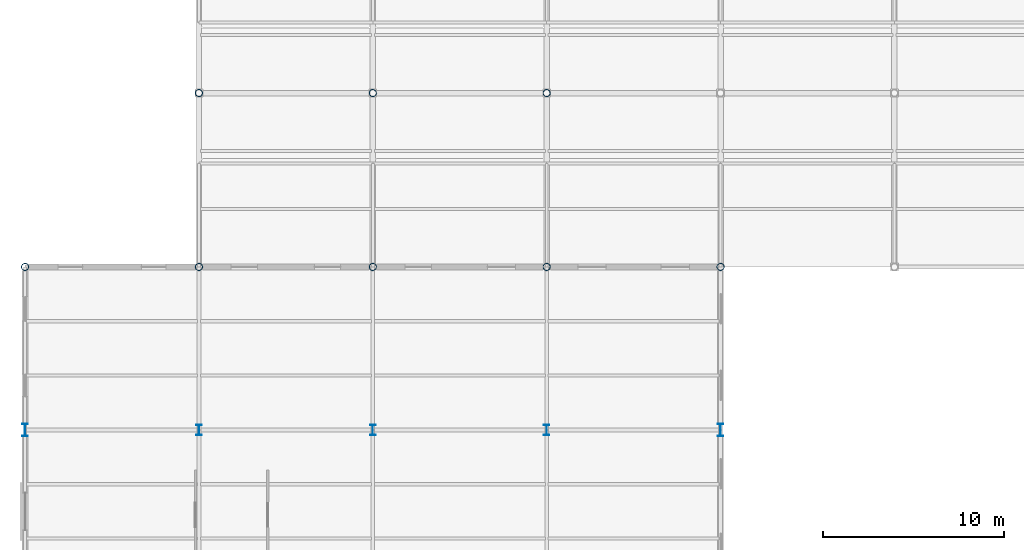
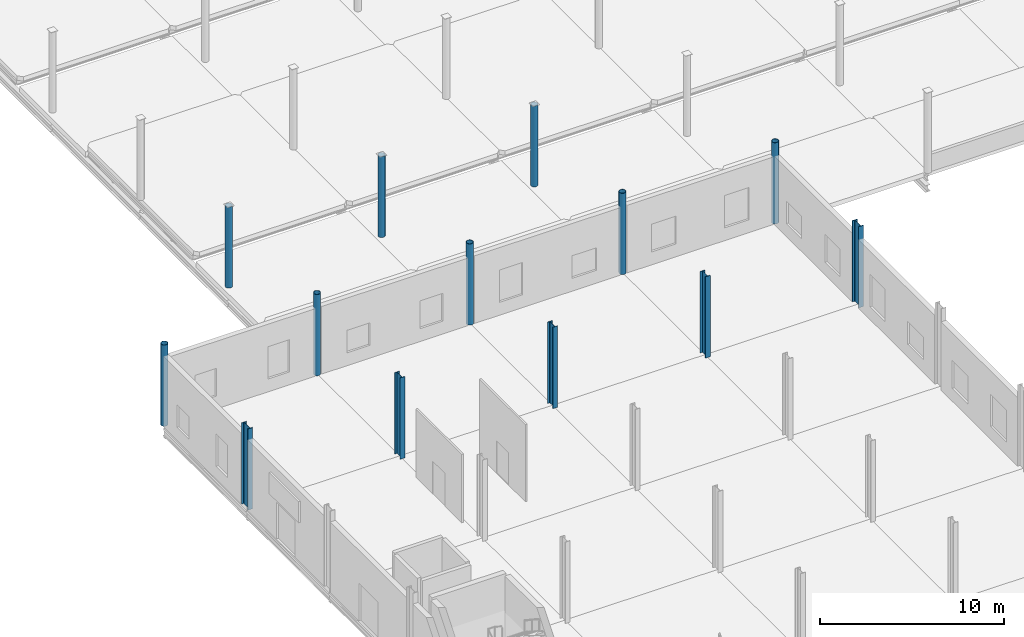
# One storey, part 8 of 85: 13 columns.
"""IFC4 building model written with IfcOpenShell, lengths in metres."""

from ifc_helpers import new_model, si_unit, direction, frame, origin, origin_2d, place, context, subcontext, project, spatial, hollow_circle, i_section, extrude, material, material_profile, profile_set, type_object, element, save


model = new_model("IFC4")

# Units and contexts
model_context = context("Model", 3, precision=1e-05, world=origin(), true_north=direction((0.0, 1.0)))
body_context = subcontext(model_context, "Body", "Model", "MODEL_VIEW")
ifc_project = project(units=[si_unit("LENGTHUNIT", "METRE"), si_unit("AREAUNIT", "SQUARE_METRE"), si_unit("VOLUMEUNIT", "CUBIC_METRE"), si_unit("PLANEANGLEUNIT", "RADIAN"), si_unit("MASSUNIT", "GRAM", prefix="KILO")], contexts=[model_context])

# Site, building, storey
site_placement = place(None, origin())
site = spatial("IfcSite", under=ifc_project, at=site_placement, CompositionType="ELEMENT")
building_placement = place(site_placement, origin())
building = spatial("IfcBuilding", under=site, at=building_placement, Name="Zarnetskaya Central Station", CompositionType="ELEMENT")
storey_placement = place(building_placement, origin())
storey = spatial("IfcBuildingStorey", under=building, at=storey_placement, Name="L00", CompositionType="ELEMENT", Elevation=0.0)

# Columns
ifc_material = material(Name="Steel S355", Category="steel")
ifc_material_profile_1 = material_profile(ifc_material, hollow_circle(Radius=0.203125, WallThickness=0.02001953125, at=origin_2d()), Name="CHS 406.4x20")
ifc_profile_set_1 = profile_set([ifc_material_profile_1], Name="Steel S355")
column_type_1 = type_object("IfcColumnType", Name="COL-V1-PCAN", PredefinedType="COLUMN", material=ifc_profile_set_1)
for number, where, z_axis, x_axis, name in (
    (1, (0.0, 67.199951171875, 0.0), (0.0, 0.0, 1.0), (1.0, 0.0, 0.0), "Column A9 L00"),
    (2, (9.60009765625, 67.199951171875, 0.0), (0.0, 0.0, 1.0), (1.0, 0.0, 0.0), "Column B9 L00"),
):
    element("IfcColumn", number, at=place(storey_placement, frame(where, z_axis=z_axis, x_axis=x_axis)), inside=storey, type_object=column_type_1, Name=name, PredefinedType="COLUMN", context=body_context, shape_type="SweptSolid", body=[
        extrude(hollow_circle(Radius=0.203125, WallThickness=0.02001953125, at=origin_2d()), origin(), (0.0, 0.0, 1.0), 5.39990234375),
    ])
column_1_placement = place(storey_placement, frame((9.60009765625, 76.800048828125, 0.0), z_axis=(0.0, 0.0, 1.0), x_axis=(1.0, 0.0, 0.0)))
element("IfcColumn", 3, at=column_1_placement, inside=storey, type_object=column_type_1, Name="Column B10 L00", PredefinedType="COLUMN", context=body_context, shape_type="SweptSolid", body=[
    extrude(hollow_circle(Radius=0.203125, WallThickness=0.02001953125, at=origin_2d()), origin(), (0.0, 0.0, 1.0), 5.387939453125),
])
column_2_placement = place(storey_placement, frame((19.199951171875, 67.199951171875, 0.0), z_axis=(0.0, 0.0, 1.0), x_axis=(1.0, 0.0, 0.0)))
element("IfcColumn", 4, at=column_2_placement, inside=storey, type_object=column_type_1, Name="Column C9 L00", PredefinedType="COLUMN", context=body_context, shape_type="SweptSolid", body=[
    extrude(hollow_circle(Radius=0.203125, WallThickness=0.02001953125, at=origin_2d()), origin(), (0.0, 0.0, 1.0), 5.39990234375),
])
column_3_placement = place(storey_placement, frame((19.199951171875, 76.800048828125, 0.0), z_axis=(0.0, 0.0, 1.0), x_axis=(1.0, 0.0, 0.0)))
element("IfcColumn", 5, at=column_3_placement, inside=storey, type_object=column_type_1, Name="Column C10 L00", PredefinedType="COLUMN", context=body_context, shape_type="SweptSolid", body=[
    extrude(hollow_circle(Radius=0.203125, WallThickness=0.02001953125, at=origin_2d()), origin(), (0.0, 0.0, 1.0), 5.387939453125),
])
column_4_placement = place(storey_placement, frame((28.800048828125, 67.199951171875, 0.0), z_axis=(0.0, 0.0, 1.0), x_axis=(1.0, 0.0, 0.0)))
element("IfcColumn", 6, at=column_4_placement, inside=storey, type_object=column_type_1, Name="Column D9 L00", PredefinedType="COLUMN", context=body_context, shape_type="SweptSolid", body=[
    extrude(hollow_circle(Radius=0.203125, WallThickness=0.02001953125, at=origin_2d()), origin(), (0.0, 0.0, 1.0), 5.39990234375),
])
column_5_placement = place(storey_placement, frame((28.800048828125, 76.800048828125, 0.0), z_axis=(0.0, 0.0, 1.0), x_axis=(1.0, 0.0, 0.0)))
element("IfcColumn", 7, at=column_5_placement, inside=storey, type_object=column_type_1, Name="Column D10 L00", PredefinedType="COLUMN", context=body_context, shape_type="SweptSolid", body=[
    extrude(hollow_circle(Radius=0.203125, WallThickness=0.02001953125, at=origin_2d()), origin(), (0.0, 0.0, 1.0), 5.387939453125),
])
column_6_placement = place(storey_placement, frame((38.39990234375, 67.199951171875, 0.0), z_axis=(0.0, 0.0, 1.0), x_axis=(1.0, 0.0, 0.0)))
element("IfcColumn", 8, at=column_6_placement, inside=storey, type_object=column_type_1, Name="Column E9 L00", PredefinedType="COLUMN", context=body_context, shape_type="SweptSolid", body=[
    extrude(hollow_circle(Radius=0.203125, WallThickness=0.02001953125, at=origin_2d()), origin(), (0.0, 0.0, 1.0), 5.39990234375),
])
ifc_material_profile_2 = material_profile(ifc_material, i_section(OverallWidth=0.300048828125, OverallDepth=0.699951171875, WebThickness=0.01708984375, FlangeThickness=0.031982421875, FilletRadius=0.027099609375, at=origin_2d()), Name="HEB 700")
ifc_profile_set_2 = profile_set([ifc_material_profile_2], Name="Steel S355")
column_type_2 = type_object("IfcColumnType", Name="COL-V5-LOW-E", PredefinedType="COLUMN", material=ifc_profile_set_2)
for number, where, z_axis, x_axis, name in (
    (9, (0.0, 58.199951171875, 0.0), (0.0, 0.0, 1.0), (1.0, 0.0, 0.0), "Column A8 L00"),
    (10, (38.39990234375, 58.199951171875, 0.0), (0.0, 0.0, 1.0), (1.0, 0.0, 0.0), "Column E8 L00"),
):
    element("IfcColumn", number, at=place(storey_placement, frame(where, z_axis=z_axis, x_axis=x_axis)), inside=storey, type_object=column_type_2, Name=name, PredefinedType="COLUMN", context=body_context, shape_type="SweptSolid", body=[
        extrude(i_section(OverallWidth=0.300048828125, OverallDepth=0.699951171875, WebThickness=0.01708984375, FlangeThickness=0.031982421875, FilletRadius=0.027099609375, at=origin_2d()), origin(), (0.0, 0.0, 1.0), 5.39990234375),
    ])
ifc_material_profile_3 = material_profile(ifc_material, i_section(OverallWidth=0.300048828125, OverallDepth=0.60009765625, WebThickness=0.015380859375, FlangeThickness=0.030029296875, FilletRadius=0.027099609375, at=origin_2d()), Name="HEB 600")
ifc_profile_set_3 = profile_set([ifc_material_profile_3], Name="Steel S355")
column_type_3 = type_object("IfcColumnType", Name="COL-V5-LOW-I", PredefinedType="COLUMN", material=ifc_profile_set_3)
for number, where, z_axis, x_axis, name in (
    (11, (9.60009765625, 58.199951171875, 0.0), (0.0, 0.0, 1.0), (1.0, 0.0, 0.0), "Column B8 L00"),
    (12, (19.199951171875, 58.199951171875, 0.0), (0.0, 0.0, 1.0), (1.0, 0.0, 0.0), "Column C8 L00"),
    (13, (28.800048828125, 58.199951171875, 0.0), (0.0, 0.0, 1.0), (1.0, 0.0, 0.0), "Column D8 L00"),
):
    element("IfcColumn", number, at=place(storey_placement, frame(where, z_axis=z_axis, x_axis=x_axis)), inside=storey, type_object=column_type_3, Name=name, PredefinedType="COLUMN", context=body_context, shape_type="SweptSolid", body=[
        extrude(i_section(OverallWidth=0.300048828125, OverallDepth=0.60009765625, WebThickness=0.015380859375, FlangeThickness=0.030029296875, FilletRadius=0.027099609375, at=origin_2d()), origin(), (0.0, 0.0, 1.0), 5.39990234375),
    ])

save(model, "model.ifc")
